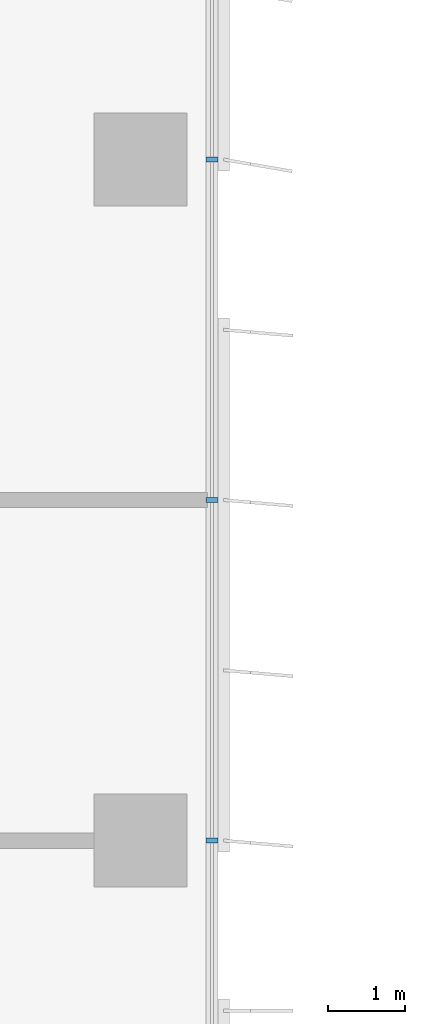
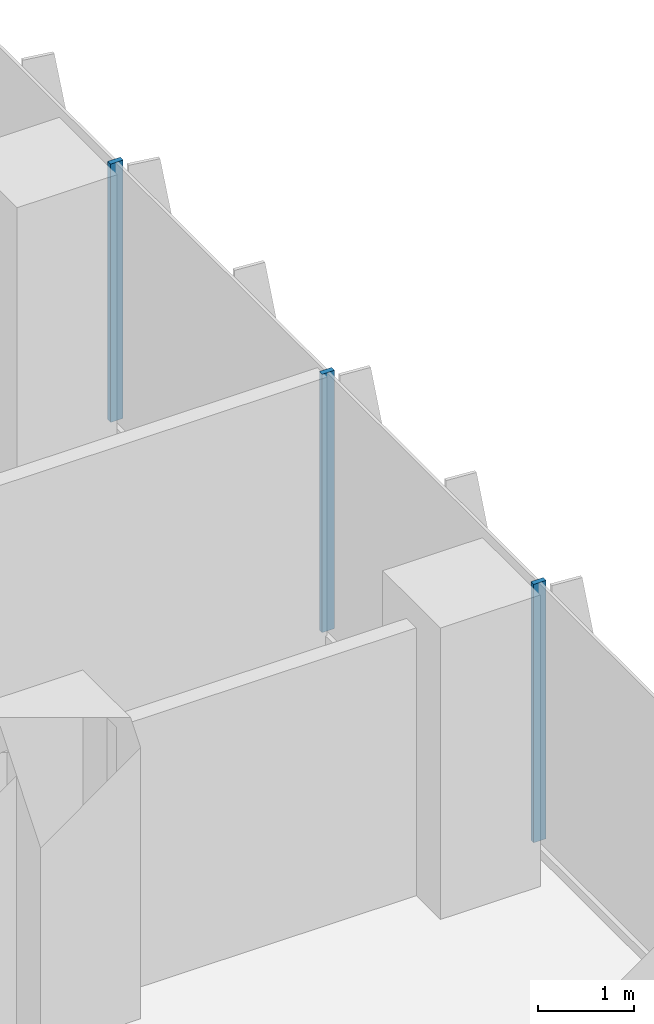
# One storey, part 7 of 23: 3 members, 1 element without a shape of its own.
"""IFC4 building model written with IfcOpenShell, lengths in metres."""

from ifc_helpers import new_model, si_unit, direction, frame, origin, origin_2d, place, context, subcontext, project, spatial, rectangle, extrude, source, transform, mapped, material, material_profile, profile_set, type_object, element, aggregate, save


model = new_model("IFC4")

# Units and contexts
model_context = context("Model", 3, precision=1e-05, world=origin(), true_north=direction((0.0, 1.0)))
body_context = subcontext(model_context, "Body", "Model", "MODEL_VIEW")
ifc_project = project(units=[si_unit("LENGTHUNIT", "METRE"), si_unit("AREAUNIT", "SQUARE_METRE"), si_unit("VOLUMEUNIT", "CUBIC_METRE"), si_unit("PLANEANGLEUNIT", "RADIAN"), si_unit("MASSUNIT", "GRAM", prefix="KILO")], contexts=[model_context])

# Site, building, storey
site_placement = place(None, origin())
site = spatial("IfcSite", under=ifc_project, at=site_placement, CompositionType="ELEMENT")
building_placement = place(site_placement, origin())
building = spatial("IfcBuilding", under=site, at=building_placement, Name="Kemantara Hotel Tower", CompositionType="ELEMENT")
storey_placement = place(building_placement, frame((0.0, 0.0, 142.0)))
storey = spatial("IfcBuildingStorey", under=building, at=storey_placement, Name="L34", CompositionType="ELEMENT", Elevation=142.0)

# Curtain wall, members
ifc_material_1 = material(Name="Low-E tinted double insulated glass 36 mm", Category="glass")
curtain_wall_type = type_object("IfcCurtainWallType", Name="TOWER CURTAIN WALL, FRONT FACES", PredefinedType="USERDEFINED", material=ifc_material_1)
curtain_wall_placement = place(storey_placement, origin())
curtain_wall = element("IfcCurtainWall", 1, at=curtain_wall_placement, inside=storey, type_object=curtain_wall_type, Name="CW4 L34 T2-R14-1", ObjectType="TOWER CURTAIN WALL, FRONT FACES", PredefinedType="USERDEFINED")
ifc_material_2 = material(Name="Aluminium 6063-T6 bronze anodised", Category="aluminium")
ifc_material_profile = material_profile(ifc_material_2, rectangle(XDim=0.14990234375, YDim=0.06005859375, at=origin_2d()), Name="TOWER CURTAIN WALL, FRONT FACES MULLION")
ifc_profile_set = profile_set([ifc_material_profile], Name="Aluminium 6063-T6 bronze anodised")
member_type = type_object("IfcMemberType", Name="TOWER CURTAIN WALL, FRONT FACES MULLION", PredefinedType="MULLION", material=ifc_profile_set)
shared_shape = source(origin(), body_context, "Body", "SweptSolid", [
    extrude(rectangle(XDim=0.14990234375, YDim=0.06005859375, at=origin_2d()), origin(), (0.0, 0.0, 1.0), 3.27978515625),
])
member_1_placement = place(storey_placement, frame((26.72509765625, 53.800048828125, 0.1201171875), z_axis=(0.0, 0.0, 1.0), x_axis=(-1.0, 0.0, 0.0)))
member_1 = element("IfcMember", 2, at=member_1_placement, type_object=member_type, Name="CW4 mullion T2-R14-1.9", PredefinedType="MULLION", context=body_context, shape_type="MappedRepresentation", body=[
    mapped(shared_shape, transform((0.0, 0.0, 0.0))),
])
member_2_placement = place(storey_placement, frame((26.72509765625, 58.199951171875, 0.1201171875), z_axis=(0.0, 0.0, 1.0), x_axis=(-1.0, 0.0, 0.0)))
member_2 = element("IfcMember", 3, at=member_2_placement, type_object=member_type, Name="CW4 mullion T2-R14-1.10", PredefinedType="MULLION", context=body_context, shape_type="MappedRepresentation", body=[
    mapped(shared_shape, transform((0.0, 0.0, 0.0))),
])
member_3_placement = place(storey_placement, frame((26.72509765625, 62.60009765625, 0.1201171875), z_axis=(0.0, 0.0, 1.0), x_axis=(-1.0, 0.0, 0.0)))
member_3 = element("IfcMember", 4, at=member_3_placement, type_object=member_type, Name="CW4 mullion T2-R14-1.11", PredefinedType="MULLION", context=body_context, shape_type="MappedRepresentation", body=[
    mapped(shared_shape, transform((0.0, 0.0, 0.0))),
])
aggregate(curtain_wall, [member_1, member_2, member_3])

save(model, "model.ifc")
